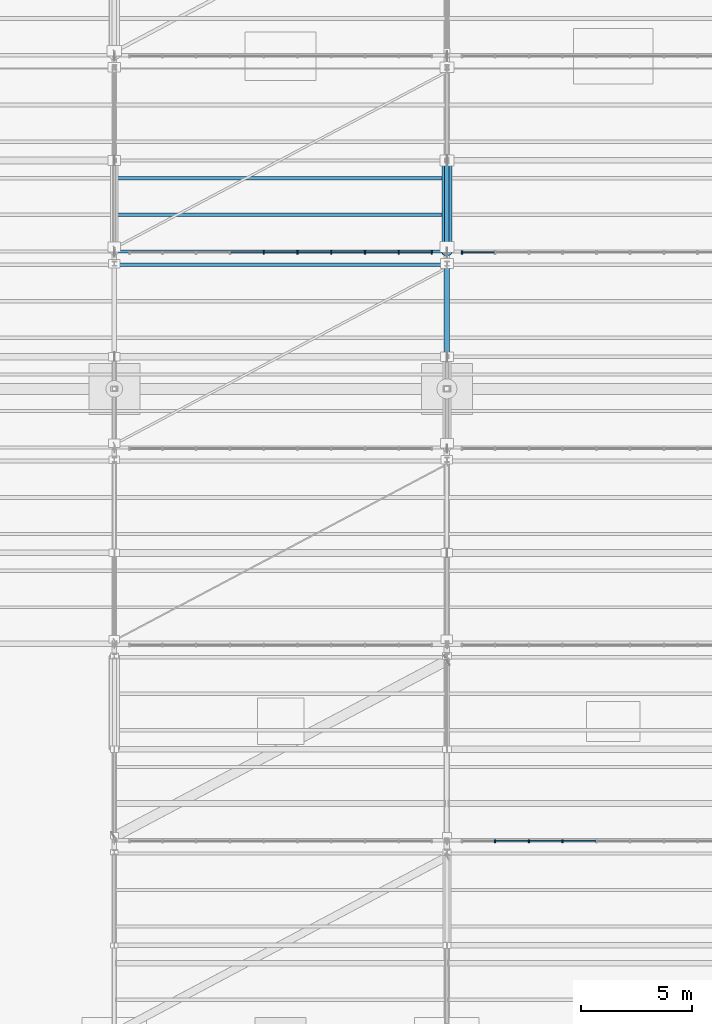
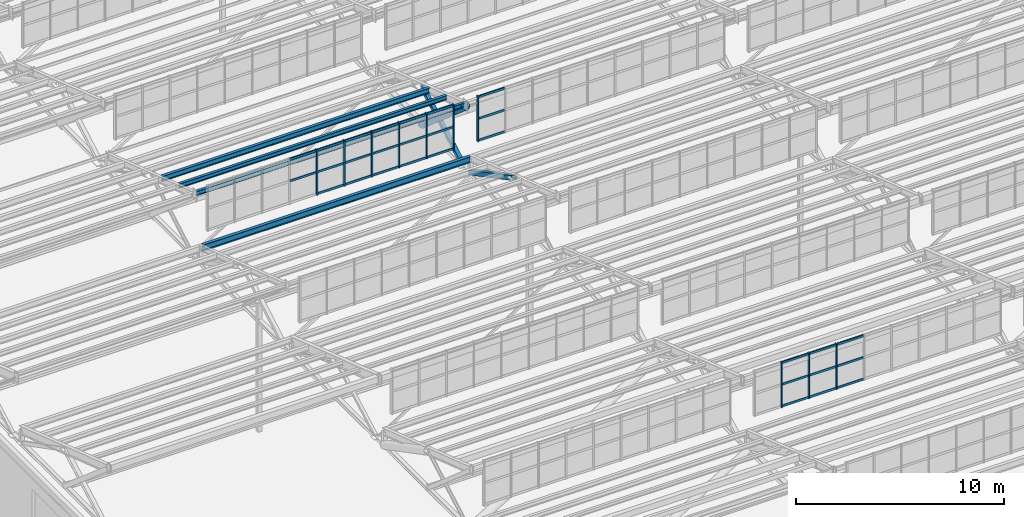
# One storey, part 53 of 285: 42 members, 4 beams, 3 elements without a shape of their own.
"""IFC4 building model written with IfcOpenShell, lengths in metres."""

import ifcopenshell
import ifcopenshell.guid

model = None  # the IFC model being written
_history = None  # IfcOwnerHistory: only IFC2X3 demands one
_inside = {}  # id of a spatial element -> (the spatial element, [elements in it])
_under = {}  # id of a project, library or spatial element -> (it, [spatial elements below it])
_declared = {}  # id of a project -> (the project, [libraries it declares])
_typed = {}  # id of a type object -> (the type object, [elements of that type])
_made_of = {}  # id of a material, layer set ... -> (it, [elements and type objects made of it])


def new_model(schema):
    """Start an empty IFC model of exactly this schema.

    Asked for "IFC4X3", IfcOpenShell would pick the latest addendum, in which some entities
    have other attributes; the version numbers below select the first issue.
    IFC2X3 requires an IfcOwnerHistory on every rooted entity: one is made here for all.
    """
    global model, _history
    if schema == "IFC4X3":
        model = ifcopenshell.file(schema_version=(4, 3, 0, 0))
    else:
        model = ifcopenshell.file(schema=schema)
    _inside.clear()
    _under.clear()
    _declared.clear()
    _typed.clear()
    _made_of.clear()
    _history = None
    if model.schema == "IFC2X3":
        org = make("IfcOrganization", Name="unknown")
        user = make(
            "IfcPersonAndOrganization",
            ThePerson=make("IfcPerson", FamilyName="unknown"),
            TheOrganization=org,
        )
        app = make(
            "IfcApplication",
            ApplicationDeveloper=org,
            Version="unknown",
            ApplicationFullName="unknown",
            ApplicationIdentifier="unknown",
        )
        _history = make(
            "IfcOwnerHistory",
            OwningUser=user,
            OwningApplication=app,
            ChangeAction="ADDED",
            CreationDate=0,
        )
    return model


def make(cls, **values):
    """One entity of the class cls with the attributes given. An attribute that is None is left unset."""
    return model.create_entity(
        cls, **{name: value for name, value in values.items() if value is not None}
    )


def rooted(cls, **values):
    """An entity with a GlobalId (a new one), such as an element, a storey or a relation."""
    return make(cls, GlobalId=ifcopenshell.guid.new(), OwnerHistory=_history, **values)


def si_unit(unit_type, name, prefix=None):
    """IfcSIUnit, for example si_unit("LENGTHUNIT", "METRE", prefix="MILLI")."""
    return make("IfcSIUnit", UnitType=unit_type, Prefix=prefix, Name=name)


def assignment(units):
    """IfcUnitAssignment: the units of a project."""
    return None if units is None else make("IfcUnitAssignment", Units=units)


def point(xyz):
    """IfcCartesianPoint."""
    return None if xyz is None else make("IfcCartesianPoint", Coordinates=xyz)


def direction(xyz):
    """IfcDirection."""
    return None if xyz is None else make("IfcDirection", DirectionRatios=xyz)


def frame(location, z_axis=None, x_axis=None):
    """IfcAxis2Placement3D, a coordinate frame: its origin and axes. An axis left out is left unset."""
    return make(
        "IfcAxis2Placement3D",
        Location=point(location),
        Axis=direction(z_axis),
        RefDirection=direction(x_axis),
    )


def frame_2d(location, x_axis=None):
    """IfcAxis2Placement2D, a coordinate frame in the plane: its origin and x axis."""
    return make(
        "IfcAxis2Placement2D", Location=point(location), RefDirection=direction(x_axis)
    )


def origin():
    """The frame at (0, 0, 0) with its axes left unset."""
    return frame((0.0, 0.0, 0.0))


def origin_2d():
    """The frame at (0, 0) in the plane with its x axis left unset."""
    return frame_2d((0.0, 0.0))


def place(relative_to, where):
    """IfcLocalPlacement: puts the frame where relative to a parent placement (None: the world)."""
    return make(
        "IfcLocalPlacement", PlacementRelTo=relative_to, RelativePlacement=where
    )


def context(
    kind, dimensions, precision=None, world=None, true_north=None, identifier=None
):
    """IfcGeometricRepresentationContext, for example the 3D "Model" context."""
    return make(
        "IfcGeometricRepresentationContext",
        ContextIdentifier=identifier,
        ContextType=kind,
        CoordinateSpaceDimension=dimensions,
        Precision=precision,
        WorldCoordinateSystem=world,
        TrueNorth=true_north,
    )


def subcontext(parent, identifier, kind, view, scale=None):
    """IfcGeometricRepresentationSubContext, for example "Body" below "Model"."""
    return make(
        "IfcGeometricRepresentationSubContext",
        ContextIdentifier=identifier,
        ContextType=kind,
        ParentContext=parent,
        TargetScale=scale,
        TargetView=view,
    )


def project(units=None, contexts=None):
    """IfcProject with its units and contexts."""
    return rooted(
        "IfcProject",
        Name="project",
        RepresentationContexts=contexts,
        UnitsInContext=assignment(units),
    )


def spatial(cls, under=None, at=None, **own):
    """A site, building, storey or space (cls), placed at a placement, below another one or the project."""
    s = rooted(cls, ObjectPlacement=at, **own)
    if under is not None:
        _under.setdefault(under.id(), (under, []))[1].append(s)
    return s


def profile(cls, at=None, kind="AREA", **sizes):
    """A parametric profile (cls). Its sizes go by their IFC names, for example OverallWidth=200.0."""
    return make(cls, ProfileType=kind, Position=at, **sizes)


def rectangle(**sizes):
    """IfcRectangleProfileDef."""
    return profile("IfcRectangleProfileDef", **sizes)


def hollow_rectangle(**sizes):
    """IfcRectangleHollowProfileDef."""
    return profile("IfcRectangleHollowProfileDef", **sizes)


def hollow_circle(**sizes):
    """IfcCircleHollowProfileDef."""
    return profile("IfcCircleHollowProfileDef", **sizes)


def i_section(**sizes):
    """IfcIShapeProfileDef."""
    return profile("IfcIShapeProfileDef", **sizes)


def extrude(swept, where, along, depth):
    """IfcExtrudedAreaSolid: the profile swept, set in the frame where, extruded along a direction by depth."""
    return make(
        "IfcExtrudedAreaSolid",
        SweptArea=swept,
        Position=where,
        ExtrudedDirection=direction(along),
        Depth=depth,
    )


def shape(context_of_items, identifier, shape_type, items):
    """IfcShapeRepresentation: the items that make up one representation, for example the "Body"."""
    return make(
        "IfcShapeRepresentation",
        ContextOfItems=context_of_items,
        RepresentationIdentifier=identifier,
        RepresentationType=shape_type,
        Items=items,
    )


def material(Name=None, Category=None):
    """IfcMaterial."""
    return make("IfcMaterial", Name=Name, Category=Category)


def material_profile(
    of_material, cross_section, Name=None, Category=None, Priority=None
):
    """IfcMaterialProfile: a cross section and its material."""
    return make(
        "IfcMaterialProfile",
        Name=Name,
        Material=of_material,
        Profile=cross_section,
        Priority=Priority,
        Category=Category,
    )


def profile_set(profiles, Name=None, composite=None):
    """IfcMaterialProfileSet."""
    return make(
        "IfcMaterialProfileSet",
        Name=Name,
        MaterialProfiles=profiles,
        CompositeProfile=composite,
    )


def made_of(thing, what):
    """Note that an element or type object is made of a material, layer set ...; save() writes the relation."""
    if what is not None:
        _made_of.setdefault(what.id(), (what, []))[1].append(thing)
    return thing


def type_object(cls, material=None, **own):
    """A type object (cls), such as IfcWallType, which elements share."""
    return made_of(rooted(cls, **own), material)


def element(
    cls,
    number,
    at=None,
    inside=None,
    cuts=None,
    type_object=None,
    material=None,
    context=None,
    identifier="Body",
    shape_type=None,
    held_by="IfcProductDefinitionShape",
    body=None,
    shapes=None,
    **own,
):
    """One element of the class cls, such as IfcWall. Its Tag is "e" and its number.

    at: its placement. inside: the storey or other place that contains it. cuts: it is an
    opening in that element (IfcRelVoidsElement). A single representation is given by context,
    identifier, shape_type and body (its items); several are given by shapes. held_by: the class
    of the entity that holds the representations. save() writes the other relations.
    """
    e = rooted(cls, Tag="e%d" % number, ObjectPlacement=at, **own)
    if body is not None:
        shapes = [shape(context, identifier, shape_type, body)]
    if shapes is not None:
        e.Representation = make(held_by, Representations=shapes)
    if inside is not None:
        _inside.setdefault(inside.id(), (inside, []))[1].append(e)
    if cuts is not None:
        rooted(
            "IfcRelVoidsElement", RelatingBuildingElement=cuts, RelatedOpeningElement=e
        )
    if type_object is not None:
        _typed.setdefault(type_object.id(), (type_object, []))[1].append(e)
    return made_of(e, material)


def aggregate(whole, parts):
    """IfcRelAggregates: a whole, such as a stair, and the parts it consists of."""
    return rooted("IfcRelAggregates", RelatingObject=whole, RelatedObjects=parts)


def save(model, path):
    """Write the relations noted so far, then the file.

    IfcRelAggregates (storeys below a building ...), IfcRelContainedInSpatialStructure (elements
    in a storey), IfcRelDefinesByType, IfcRelAssociatesMaterial and IfcRelDeclares: one each for
    every whole, place, type object, material and project.
    """
    for whole, parts in _under.values():
        aggregate(whole, parts)
    for where, things in _inside.values():
        rooted(
            "IfcRelContainedInSpatialStructure",
            RelatedElements=things,
            RelatingStructure=where,
        )
    for kind, things in _typed.values():
        rooted("IfcRelDefinesByType", RelatedObjects=things, RelatingType=kind)
    for what, things in _made_of.values():
        rooted("IfcRelAssociatesMaterial", RelatedObjects=things, RelatingMaterial=what)
    for by, libraries in _declared.values():
        rooted("IfcRelDeclares", RelatingContext=by, RelatedDefinitions=libraries)
    model.write(path)


model = new_model("IFC4")

# Units and contexts
model_context = context("Model", 3, precision=1e-05, world=origin(), true_north=direction((0.0, 1.0)))
body_context = subcontext(model_context, "Body", "Model", "MODEL_VIEW")
ifc_project = project(units=[si_unit("LENGTHUNIT", "METRE"), si_unit("AREAUNIT", "SQUARE_METRE"), si_unit("VOLUMEUNIT", "CUBIC_METRE"), si_unit("PLANEANGLEUNIT", "RADIAN"), si_unit("MASSUNIT", "GRAM", prefix="KILO")], contexts=[model_context])

# Site, building, storey
site_placement = place(None, origin())
site = spatial("IfcSite", under=ifc_project, at=site_placement, CompositionType="ELEMENT")
building_placement = place(site_placement, origin())
building = spatial("IfcBuilding", under=site, at=building_placement, Name="Solanera Park Tramway Depot", CompositionType="ELEMENT")
storey_placement = place(building_placement, origin())
storey = spatial("IfcBuildingStorey", under=building, at=storey_placement, Name="L00", CompositionType="ELEMENT", Elevation=0.0)

# Curtain wall, members
ifc_material_1 = material(Name="Bronze-anodised thermally broken aluminium curtain wall", Category="aluminium")
curtain_wall_type = type_object("IfcCurtainWallType", Name="Sawtooth Clerestory Monitor Curtain Wall", PredefinedType="NOTDEFINED", material=ifc_material_1)
curtain_wall_1_placement = place(storey_placement, origin())
curtain_wall_1 = element("IfcCurtainWall", 1, at=curtain_wall_1_placement, inside=storey, type_object=curtain_wall_type, Name="L00 Sawtooth Clerestory Monitor Curtain Wall #005", PredefinedType="NOTDEFINED")
ifc_material_2 = material(Name="Bronze-anodised structural aluminium 6063-T6", Category="aluminium")
ifc_material_profile_1 = material_profile(ifc_material_2, rectangle(XDim=0.06494140625, YDim=0.14990234375, at=origin_2d()), Name="Curtain Wall Mullion 65x150")
ifc_profile_set_1 = profile_set([ifc_material_profile_1], Name="Bronze-anodised structural aluminium 6063-T6")
member_type_1 = type_object("IfcMemberType", Name="Curtain Wall Mullion 65x150", PredefinedType="MULLION", material=ifc_profile_set_1)
member_1_placement = place(storey_placement, frame((32.172119140625, 64.60009765625, 7.75), z_axis=(0.0, 0.0, 1.0), x_axis=(1.0, 0.0, 0.0)))
member_1 = element("IfcMember", 2, at=member_1_placement, type_object=member_type_1, Name="CW-L00-005 Mullion 2", PredefinedType="MULLION", context=body_context, shape_type="SweptSolid", body=[
    extrude(rectangle(XDim=0.06494140625, YDim=0.14990234375, at=origin_2d()), origin(), (0.0, 0.0, 1.0), 2.6611328125),
])
member_2_placement = place(storey_placement, frame((33.6943359375, 64.60009765625, 7.75), z_axis=(0.0, 0.0, 1.0), x_axis=(1.0, 0.0, 0.0)))
member_2 = element("IfcMember", 3, at=member_2_placement, type_object=member_type_1, Name="CW-L00-005 Mullion 3", PredefinedType="MULLION", context=body_context, shape_type="SweptSolid", body=[
    extrude(rectangle(XDim=0.06494140625, YDim=0.14990234375, at=origin_2d()), origin(), (0.0, 0.0, 1.0), 2.6611328125),
])
member_3_placement = place(storey_placement, frame((35.216796875, 64.60009765625, 7.75), z_axis=(0.0, 0.0, 1.0), x_axis=(1.0, 0.0, 0.0)))
member_3 = element("IfcMember", 4, at=member_3_placement, type_object=member_type_1, Name="CW-L00-005 Mullion 4", PredefinedType="MULLION", context=body_context, shape_type="SweptSolid", body=[
    extrude(rectangle(XDim=0.06494140625, YDim=0.14990234375, at=origin_2d()), origin(), (0.0, 0.0, 1.0), 2.6611328125),
])

curtain_wall_2_placement = place(storey_placement, origin())
curtain_wall_2 = element("IfcCurtainWall", 5, at=curtain_wall_2_placement, inside=storey, type_object=curtain_wall_type, Name="L00 Sawtooth Clerestory Monitor Curtain Wall #028", PredefinedType="NOTDEFINED")
member_4_placement = place(storey_placement, frame((21.739013671875, 91.14990234375, 7.75), z_axis=(0.0, 0.0, 1.0), x_axis=(1.0, 0.0, 0.0)))
member_4 = element("IfcMember", 6, at=member_4_placement, type_object=member_type_1, Name="CW-L00-028 Mullion 5", PredefinedType="MULLION", context=body_context, shape_type="SweptSolid", body=[
    extrude(rectangle(XDim=0.06494140625, YDim=0.14990234375, at=origin_2d()), origin(), (0.0, 0.0, 1.0), 2.6611328125),
])
member_5_placement = place(storey_placement, frame((23.260986328125, 91.14990234375, 7.75), z_axis=(0.0, 0.0, 1.0), x_axis=(1.0, 0.0, 0.0)))
member_5 = element("IfcMember", 7, at=member_5_placement, type_object=member_type_1, Name="CW-L00-028 Mullion 6", PredefinedType="MULLION", context=body_context, shape_type="SweptSolid", body=[
    extrude(rectangle(XDim=0.06494140625, YDim=0.14990234375, at=origin_2d()), origin(), (0.0, 0.0, 1.0), 2.6611328125),
])
member_6_placement = place(storey_placement, frame((24.783203125, 91.14990234375, 7.75), z_axis=(0.0, 0.0, 1.0), x_axis=(1.0, 0.0, 0.0)))
member_6 = element("IfcMember", 8, at=member_6_placement, type_object=member_type_1, Name="CW-L00-028 Mullion 7", PredefinedType="MULLION", context=body_context, shape_type="SweptSolid", body=[
    extrude(rectangle(XDim=0.06494140625, YDim=0.14990234375, at=origin_2d()), origin(), (0.0, 0.0, 1.0), 2.6611328125),
])
member_7_placement = place(storey_placement, frame((26.3056640625, 91.14990234375, 7.75), z_axis=(0.0, 0.0, 1.0), x_axis=(1.0, 0.0, 0.0)))
member_7 = element("IfcMember", 9, at=member_7_placement, type_object=member_type_1, Name="CW-L00-028 Mullion 8", PredefinedType="MULLION", context=body_context, shape_type="SweptSolid", body=[
    extrude(rectangle(XDim=0.06494140625, YDim=0.14990234375, at=origin_2d()), origin(), (0.0, 0.0, 1.0), 2.6611328125),
])
member_8_placement = place(storey_placement, frame((27.827880859375, 91.14990234375, 7.75), z_axis=(0.0, 0.0, 1.0), x_axis=(1.0, 0.0, 0.0)))
member_8 = element("IfcMember", 10, at=member_8_placement, type_object=member_type_1, Name="CW-L00-028 Mullion 9", PredefinedType="MULLION", context=body_context, shape_type="SweptSolid", body=[
    extrude(rectangle(XDim=0.06494140625, YDim=0.14990234375, at=origin_2d()), origin(), (0.0, 0.0, 1.0), 2.6611328125),
])
member_9_placement = place(storey_placement, frame((29.3173828125, 91.14990234375, 7.75), z_axis=(0.0, 0.0, 1.0), x_axis=(1.0, 0.0, 0.0)))
member_9 = element("IfcMember", 11, at=member_9_placement, type_object=member_type_1, Name="CW-L00-028 Mullion 10", PredefinedType="MULLION", context=body_context, shape_type="SweptSolid", body=[
    extrude(rectangle(XDim=0.06494140625, YDim=0.14990234375, at=origin_2d()), origin(), (0.0, 0.0, 1.0), 2.6611328125),
])

# Curtain wall, member
curtain_wall_3_placement = place(storey_placement, origin())
curtain_wall_3 = element("IfcCurtainWall", 12, at=curtain_wall_3_placement, inside=storey, type_object=curtain_wall_type, Name="L00 Sawtooth Clerestory Monitor Curtain Wall #029", PredefinedType="NOTDEFINED")
member_10_placement = place(storey_placement, frame((30.6826171875, 91.14990234375, 7.75), z_axis=(0.0, 0.0, 1.0), x_axis=(1.0, 0.0, 0.0)))
member_10 = element("IfcMember", 13, at=member_10_placement, type_object=member_type_1, Name="CW-L00-029 Mullion 1", PredefinedType="MULLION", context=body_context, shape_type="SweptSolid", body=[
    extrude(rectangle(XDim=0.06494140625, YDim=0.14990234375, at=origin_2d()), origin(), (0.0, 0.0, 1.0), 2.6611328125),
])

# Member
ifc_material_3 = material(Name="Bronze-anodised structural aluminium 6063-T6", Category="aluminium")
ifc_material_profile_2 = material_profile(ifc_material_3, rectangle(XDim=0.06494140625, YDim=0.1201171875, at=origin_2d()), Name="Curtain Wall Transom 65x120")
ifc_profile_set_2 = profile_set([ifc_material_profile_2], Name="Bronze-anodised structural aluminium 6063-T6")
member_type_2 = type_object("IfcMemberType", Name="Curtain Wall Transom 65x120", PredefinedType="USERDEFINED", material=ifc_profile_set_2)
member_11_placement = place(storey_placement, frame((32.2001953125, 64.60009765625, 7.81005859375), z_axis=(1.0, 0.0, 0.0), x_axis=(0.0, 1.0, 0.0)))
member_11 = element("IfcMember", 14, at=member_11_placement, type_object=member_type_2, Name="CW-L00-005 Transom R1.C2", ObjectType="TRANSOM", PredefinedType="USERDEFINED", context=body_context, shape_type="SweptSolid", body=[
    extrude(rectangle(XDim=0.06494140625, YDim=0.1201171875, at=origin_2d()), origin(), (0.0, 0.0, 1.0), 1.46630859375),
])

member_12_placement = place(storey_placement, frame((33.722412109375, 64.60009765625, 7.81005859375), z_axis=(1.0, 0.0, 0.0), x_axis=(0.0, 1.0, 0.0)))
member_12 = element("IfcMember", 15, at=member_12_placement, type_object=member_type_2, Name="CW-L00-005 Transom R1.C3", ObjectType="TRANSOM", PredefinedType="USERDEFINED", context=body_context, shape_type="SweptSolid", body=[
    extrude(rectangle(XDim=0.06494140625, YDim=0.1201171875, at=origin_2d()), origin(), (0.0, 0.0, 1.0), 1.46630859375),
])

member_13_placement = place(storey_placement, frame((35.24462890625, 64.60009765625, 7.81005859375), z_axis=(1.0, 0.0, 0.0), x_axis=(0.0, 1.0, 0.0)))
member_13 = element("IfcMember", 16, at=member_13_placement, type_object=member_type_2, Name="CW-L00-005 Transom R1.C4", ObjectType="TRANSOM", PredefinedType="USERDEFINED", context=body_context, shape_type="SweptSolid", body=[
    extrude(rectangle(XDim=0.06494140625, YDim=0.1201171875, at=origin_2d()), origin(), (0.0, 0.0, 1.0), 1.46630859375),
])

member_14_placement = place(storey_placement, frame((32.2001953125, 64.60009765625, 9.08056640625), z_axis=(1.0, 0.0, 0.0), x_axis=(0.0, 1.0, 0.0)))
member_14 = element("IfcMember", 17, at=member_14_placement, type_object=member_type_2, Name="CW-L00-005 Transom R2.C2", ObjectType="TRANSOM", PredefinedType="USERDEFINED", context=body_context, shape_type="SweptSolid", body=[
    extrude(rectangle(XDim=0.06494140625, YDim=0.1201171875, at=origin_2d()), origin(), (0.0, 0.0, 1.0), 1.46630859375),
])

member_15_placement = place(storey_placement, frame((33.722412109375, 64.60009765625, 9.08056640625), z_axis=(1.0, 0.0, 0.0), x_axis=(0.0, 1.0, 0.0)))
member_15 = element("IfcMember", 18, at=member_15_placement, type_object=member_type_2, Name="CW-L00-005 Transom R2.C3", ObjectType="TRANSOM", PredefinedType="USERDEFINED", context=body_context, shape_type="SweptSolid", body=[
    extrude(rectangle(XDim=0.06494140625, YDim=0.1201171875, at=origin_2d()), origin(), (0.0, 0.0, 1.0), 1.46630859375),
])

member_16_placement = place(storey_placement, frame((35.24462890625, 64.60009765625, 9.08056640625), z_axis=(1.0, 0.0, 0.0), x_axis=(0.0, 1.0, 0.0)))
member_16 = element("IfcMember", 19, at=member_16_placement, type_object=member_type_2, Name="CW-L00-005 Transom R2.C4", ObjectType="TRANSOM", PredefinedType="USERDEFINED", context=body_context, shape_type="SweptSolid", body=[
    extrude(rectangle(XDim=0.06494140625, YDim=0.1201171875, at=origin_2d()), origin(), (0.0, 0.0, 1.0), 1.46630859375),
])

member_17_placement = place(storey_placement, frame((32.2001953125, 64.60009765625, 10.351318359375), z_axis=(1.0, 0.0, 0.0), x_axis=(0.0, 1.0, 0.0)))
member_17 = element("IfcMember", 20, at=member_17_placement, type_object=member_type_2, Name="CW-L00-005 Transom R3.C2", ObjectType="TRANSOM", PredefinedType="USERDEFINED", context=body_context, shape_type="SweptSolid", body=[
    extrude(rectangle(XDim=0.06494140625, YDim=0.1201171875, at=origin_2d()), origin(), (0.0, 0.0, 1.0), 1.46630859375),
])

member_18_placement = place(storey_placement, frame((33.722412109375, 64.60009765625, 10.351318359375), z_axis=(1.0, 0.0, 0.0), x_axis=(0.0, 1.0, 0.0)))
member_18 = element("IfcMember", 21, at=member_18_placement, type_object=member_type_2, Name="CW-L00-005 Transom R3.C3", ObjectType="TRANSOM", PredefinedType="USERDEFINED", context=body_context, shape_type="SweptSolid", body=[
    extrude(rectangle(XDim=0.06494140625, YDim=0.1201171875, at=origin_2d()), origin(), (0.0, 0.0, 1.0), 1.46630859375),
])

member_19_placement = place(storey_placement, frame((35.24462890625, 64.60009765625, 10.351318359375), z_axis=(1.0, 0.0, 0.0), x_axis=(0.0, 1.0, 0.0)))
member_19 = element("IfcMember", 22, at=member_19_placement, type_object=member_type_2, Name="CW-L00-005 Transom R3.C4", ObjectType="TRANSOM", PredefinedType="USERDEFINED", context=body_context, shape_type="SweptSolid", body=[
    extrude(rectangle(XDim=0.06494140625, YDim=0.1201171875, at=origin_2d()), origin(), (0.0, 0.0, 1.0), 1.46630859375),
])

aggregate(curtain_wall_1, [member_1, member_2, member_3, member_11, member_12, member_13, member_14, member_15, member_16, member_17, member_18, member_19])

member_20_placement = place(storey_placement, frame((21.766845703125, 91.14990234375, 7.81005859375), z_axis=(1.0, 0.0, 0.0), x_axis=(0.0, 1.0, 0.0)))
member_20 = element("IfcMember", 23, at=member_20_placement, type_object=member_type_2, Name="CW-L00-028 Transom R1.C5", ObjectType="TRANSOM", PredefinedType="USERDEFINED", context=body_context, shape_type="SweptSolid", body=[
    extrude(rectangle(XDim=0.06494140625, YDim=0.1201171875, at=origin_2d()), origin(), (0.0, 0.0, 1.0), 1.46630859375),
])

member_21_placement = place(storey_placement, frame((23.2890625, 91.14990234375, 7.81005859375), z_axis=(1.0, 0.0, 0.0), x_axis=(0.0, 1.0, 0.0)))
member_21 = element("IfcMember", 24, at=member_21_placement, type_object=member_type_2, Name="CW-L00-028 Transom R1.C6", ObjectType="TRANSOM", PredefinedType="USERDEFINED", context=body_context, shape_type="SweptSolid", body=[
    extrude(rectangle(XDim=0.06494140625, YDim=0.1201171875, at=origin_2d()), origin(), (0.0, 0.0, 1.0), 1.46630859375),
])

member_22_placement = place(storey_placement, frame((24.811279296875, 91.14990234375, 7.81005859375), z_axis=(1.0, 0.0, 0.0), x_axis=(0.0, 1.0, 0.0)))
member_22 = element("IfcMember", 25, at=member_22_placement, type_object=member_type_2, Name="CW-L00-028 Transom R1.C7", ObjectType="TRANSOM", PredefinedType="USERDEFINED", context=body_context, shape_type="SweptSolid", body=[
    extrude(rectangle(XDim=0.06494140625, YDim=0.1201171875, at=origin_2d()), origin(), (0.0, 0.0, 1.0), 1.46630859375),
])

member_23_placement = place(storey_placement, frame((26.33349609375, 91.14990234375, 7.81005859375), z_axis=(1.0, 0.0, 0.0), x_axis=(0.0, 1.0, 0.0)))
member_23 = element("IfcMember", 26, at=member_23_placement, type_object=member_type_2, Name="CW-L00-028 Transom R1.C8", ObjectType="TRANSOM", PredefinedType="USERDEFINED", context=body_context, shape_type="SweptSolid", body=[
    extrude(rectangle(XDim=0.06494140625, YDim=0.1201171875, at=origin_2d()), origin(), (0.0, 0.0, 1.0), 1.46630859375),
])

member_24_placement = place(storey_placement, frame((27.855712890625, 91.14990234375, 7.81005859375), z_axis=(1.0, 0.0, 0.0), x_axis=(0.0, 1.0, 0.0)))
member_24 = element("IfcMember", 27, at=member_24_placement, type_object=member_type_2, Name="CW-L00-028 Transom R1.C9", ObjectType="TRANSOM", PredefinedType="USERDEFINED", context=body_context, shape_type="SweptSolid", body=[
    extrude(rectangle(XDim=0.06494140625, YDim=0.1201171875, at=origin_2d()), origin(), (0.0, 0.0, 1.0), 1.433837890625),
])

member_25_placement = place(storey_placement, frame((20.24462890625, 91.14990234375, 9.08056640625), z_axis=(1.0, 0.0, 0.0), x_axis=(0.0, 1.0, 0.0)))
member_25 = element("IfcMember", 28, at=member_25_placement, type_object=member_type_2, Name="CW-L00-028 Transom R2.C4", ObjectType="TRANSOM", PredefinedType="USERDEFINED", context=body_context, shape_type="SweptSolid", body=[
    extrude(rectangle(XDim=0.06494140625, YDim=0.1201171875, at=origin_2d()), origin(), (0.0, 0.0, 1.0), 1.46630859375),
])

member_26_placement = place(storey_placement, frame((21.766845703125, 91.14990234375, 9.08056640625), z_axis=(1.0, 0.0, 0.0), x_axis=(0.0, 1.0, 0.0)))
member_26 = element("IfcMember", 29, at=member_26_placement, type_object=member_type_2, Name="CW-L00-028 Transom R2.C5", ObjectType="TRANSOM", PredefinedType="USERDEFINED", context=body_context, shape_type="SweptSolid", body=[
    extrude(rectangle(XDim=0.06494140625, YDim=0.1201171875, at=origin_2d()), origin(), (0.0, 0.0, 1.0), 1.46630859375),
])

member_27_placement = place(storey_placement, frame((23.2890625, 91.14990234375, 9.08056640625), z_axis=(1.0, 0.0, 0.0), x_axis=(0.0, 1.0, 0.0)))
member_27 = element("IfcMember", 30, at=member_27_placement, type_object=member_type_2, Name="CW-L00-028 Transom R2.C6", ObjectType="TRANSOM", PredefinedType="USERDEFINED", context=body_context, shape_type="SweptSolid", body=[
    extrude(rectangle(XDim=0.06494140625, YDim=0.1201171875, at=origin_2d()), origin(), (0.0, 0.0, 1.0), 1.46630859375),
])

member_28_placement = place(storey_placement, frame((24.811279296875, 91.14990234375, 9.08056640625), z_axis=(1.0, 0.0, 0.0), x_axis=(0.0, 1.0, 0.0)))
member_28 = element("IfcMember", 31, at=member_28_placement, type_object=member_type_2, Name="CW-L00-028 Transom R2.C7", ObjectType="TRANSOM", PredefinedType="USERDEFINED", context=body_context, shape_type="SweptSolid", body=[
    extrude(rectangle(XDim=0.06494140625, YDim=0.1201171875, at=origin_2d()), origin(), (0.0, 0.0, 1.0), 1.46630859375),
])

member_29_placement = place(storey_placement, frame((26.33349609375, 91.14990234375, 9.08056640625), z_axis=(1.0, 0.0, 0.0), x_axis=(0.0, 1.0, 0.0)))
member_29 = element("IfcMember", 32, at=member_29_placement, type_object=member_type_2, Name="CW-L00-028 Transom R2.C8", ObjectType="TRANSOM", PredefinedType="USERDEFINED", context=body_context, shape_type="SweptSolid", body=[
    extrude(rectangle(XDim=0.06494140625, YDim=0.1201171875, at=origin_2d()), origin(), (0.0, 0.0, 1.0), 1.46630859375),
])

member_30_placement = place(storey_placement, frame((27.855712890625, 91.14990234375, 9.08056640625), z_axis=(1.0, 0.0, 0.0), x_axis=(0.0, 1.0, 0.0)))
member_30 = element("IfcMember", 33, at=member_30_placement, type_object=member_type_2, Name="CW-L00-028 Transom R2.C9", ObjectType="TRANSOM", PredefinedType="USERDEFINED", context=body_context, shape_type="SweptSolid", body=[
    extrude(rectangle(XDim=0.06494140625, YDim=0.1201171875, at=origin_2d()), origin(), (0.0, 0.0, 1.0), 1.433837890625),
])

member_31_placement = place(storey_placement, frame((20.24462890625, 91.14990234375, 10.351318359375), z_axis=(1.0, 0.0, 0.0), x_axis=(0.0, 1.0, 0.0)))
member_31 = element("IfcMember", 34, at=member_31_placement, type_object=member_type_2, Name="CW-L00-028 Transom R3.C4", ObjectType="TRANSOM", PredefinedType="USERDEFINED", context=body_context, shape_type="SweptSolid", body=[
    extrude(rectangle(XDim=0.06494140625, YDim=0.1201171875, at=origin_2d()), origin(), (0.0, 0.0, 1.0), 1.46630859375),
])

member_32_placement = place(storey_placement, frame((21.766845703125, 91.14990234375, 10.351318359375), z_axis=(1.0, 0.0, 0.0), x_axis=(0.0, 1.0, 0.0)))
member_32 = element("IfcMember", 35, at=member_32_placement, type_object=member_type_2, Name="CW-L00-028 Transom R3.C5", ObjectType="TRANSOM", PredefinedType="USERDEFINED", context=body_context, shape_type="SweptSolid", body=[
    extrude(rectangle(XDim=0.06494140625, YDim=0.1201171875, at=origin_2d()), origin(), (0.0, 0.0, 1.0), 1.46630859375),
])

member_33_placement = place(storey_placement, frame((23.2890625, 91.14990234375, 10.351318359375), z_axis=(1.0, 0.0, 0.0), x_axis=(0.0, 1.0, 0.0)))
member_33 = element("IfcMember", 36, at=member_33_placement, type_object=member_type_2, Name="CW-L00-028 Transom R3.C6", ObjectType="TRANSOM", PredefinedType="USERDEFINED", context=body_context, shape_type="SweptSolid", body=[
    extrude(rectangle(XDim=0.06494140625, YDim=0.1201171875, at=origin_2d()), origin(), (0.0, 0.0, 1.0), 1.46630859375),
])

member_34_placement = place(storey_placement, frame((24.811279296875, 91.14990234375, 10.351318359375), z_axis=(1.0, 0.0, 0.0), x_axis=(0.0, 1.0, 0.0)))
member_34 = element("IfcMember", 37, at=member_34_placement, type_object=member_type_2, Name="CW-L00-028 Transom R3.C7", ObjectType="TRANSOM", PredefinedType="USERDEFINED", context=body_context, shape_type="SweptSolid", body=[
    extrude(rectangle(XDim=0.06494140625, YDim=0.1201171875, at=origin_2d()), origin(), (0.0, 0.0, 1.0), 1.46630859375),
])

member_35_placement = place(storey_placement, frame((26.33349609375, 91.14990234375, 10.351318359375), z_axis=(1.0, 0.0, 0.0), x_axis=(0.0, 1.0, 0.0)))
member_35 = element("IfcMember", 38, at=member_35_placement, type_object=member_type_2, Name="CW-L00-028 Transom R3.C8", ObjectType="TRANSOM", PredefinedType="USERDEFINED", context=body_context, shape_type="SweptSolid", body=[
    extrude(rectangle(XDim=0.06494140625, YDim=0.1201171875, at=origin_2d()), origin(), (0.0, 0.0, 1.0), 1.46630859375),
])

member_36_placement = place(storey_placement, frame((27.855712890625, 91.14990234375, 10.351318359375), z_axis=(1.0, 0.0, 0.0), x_axis=(0.0, 1.0, 0.0)))
member_36 = element("IfcMember", 39, at=member_36_placement, type_object=member_type_2, Name="CW-L00-028 Transom R3.C9", ObjectType="TRANSOM", PredefinedType="USERDEFINED", context=body_context, shape_type="SweptSolid", body=[
    extrude(rectangle(XDim=0.06494140625, YDim=0.1201171875, at=origin_2d()), origin(), (0.0, 0.0, 1.0), 1.433837890625),
])

aggregate(curtain_wall_2, [member_4, member_5, member_6, member_7, member_8, member_9, member_20, member_21, member_22, member_23, member_24, member_25, member_26, member_27, member_28, member_29, member_30, member_31, member_32, member_33, member_34, member_35, member_36])

member_37_placement = place(storey_placement, frame((30.71044921875, 91.14990234375, 7.81005859375), z_axis=(1.0, 0.0, 0.0), x_axis=(0.0, 1.0, 0.0)))
member_37 = element("IfcMember", 40, at=member_37_placement, type_object=member_type_2, Name="CW-L00-029 Transom R1.C1", ObjectType="TRANSOM", PredefinedType="USERDEFINED", context=body_context, shape_type="SweptSolid", body=[
    extrude(rectangle(XDim=0.06494140625, YDim=0.1201171875, at=origin_2d()), origin(), (0.0, 0.0, 1.0), 1.433837890625),
])

member_38_placement = place(storey_placement, frame((30.71044921875, 91.14990234375, 9.08056640625), z_axis=(1.0, 0.0, 0.0), x_axis=(0.0, 1.0, 0.0)))
member_38 = element("IfcMember", 41, at=member_38_placement, type_object=member_type_2, Name="CW-L00-029 Transom R2.C1", ObjectType="TRANSOM", PredefinedType="USERDEFINED", context=body_context, shape_type="SweptSolid", body=[
    extrude(rectangle(XDim=0.06494140625, YDim=0.1201171875, at=origin_2d()), origin(), (0.0, 0.0, 1.0), 1.433837890625),
])

member_39_placement = place(storey_placement, frame((30.71044921875, 91.14990234375, 10.351318359375), z_axis=(1.0, 0.0, 0.0), x_axis=(0.0, 1.0, 0.0)))
member_39 = element("IfcMember", 42, at=member_39_placement, type_object=member_type_2, Name="CW-L00-029 Transom R3.C1", ObjectType="TRANSOM", PredefinedType="USERDEFINED", context=body_context, shape_type="SweptSolid", body=[
    extrude(rectangle(XDim=0.06494140625, YDim=0.1201171875, at=origin_2d()), origin(), (0.0, 0.0, 1.0), 1.433837890625),
])

aggregate(curtain_wall_3, [member_10, member_37, member_38, member_39])

ifc_material_4 = material(Name="Steel AS/NZS 3679.1 Grade 350", Category="steel")
ifc_material_profile_3 = material_profile(ifc_material_4, i_section(OverallWidth=0.205078125, OverallDepth=0.209716796875, WebThickness=0.00927734375, FlangeThickness=0.01416015625, at=origin_2d()), Name="200UC59.5")
ifc_profile_set_3 = profile_set([ifc_material_profile_3], Name="Steel AS/NZS 3679.1 Grade 350")
member_type_3 = type_object("IfcMemberType", Name="Roof Gantry Compression Strut 200UC59.5", PredefinedType="STRUT", material=ifc_profile_set_3)
member_40_placement = place(storey_placement, frame((30.0, 91.39990234375, 6.5), z_axis=(0.0, 0.871644015716, 0.490139480011), x_axis=(-1.0, 0.0, 0.0)))
element("IfcMember", 43, at=member_40_placement, inside=storey, type_object=member_type_3, Name="Sawtooth ROOF TRUSS Strut 200UC59.5 #0187", PredefinedType="STRUT", context=body_context, shape_type="SweptSolid", body=[
    extrude(i_section(OverallWidth=0.205078125, OverallDepth=0.209716796875, WebThickness=0.00927734375, FlangeThickness=0.01416015625, at=origin_2d()), origin(), (0.0, 0.0, 1.0), 4.474365234375),
])

# Beams
ifc_material_5 = material(Name="Steel AS/NZS 3679.1 Grade 350", Category="steel")
ifc_material_profile_4 = material_profile(ifc_material_5, i_section(OverallWidth=0.14599609375, OverallDepth=0.251708984375, WebThickness=0.006103515625, FlangeThickness=0.008544921875, at=origin_2d()), Name="250UB31.4")
ifc_profile_set_4 = profile_set([ifc_material_profile_4], Name="Steel AS/NZS 3679.1 Grade 350")
beam_type_1 = type_object("IfcBeamType", Name="Steel Joist Purlin 250UB31.4", PredefinedType="JOIST", material=ifc_profile_set_4)
beam_1_placement = place(storey_placement, frame((15.077880859375, 91.199951171875, 10.139892578125), z_axis=(1.0, 0.0, 0.0), x_axis=(0.0, 1.0, 0.0)))
element("IfcBeam", 44, at=beam_1_placement, inside=storey, type_object=beam_type_1, Name="Sawtooth Roof Purlin 250UB31.4 B05.1", PredefinedType="JOIST", context=body_context, shape_type="SweptSolid", body=[
    extrude(i_section(OverallWidth=0.14599609375, OverallDepth=0.251708984375, WebThickness=0.006103515625, FlangeThickness=0.008544921875, at=origin_2d()), origin(), (0.0, 0.0, 1.0), 14.84130859375),
])
ifc_material_6 = material(Name="Steel AS/NZS 3679.1 Grade 350", Category="steel")
ifc_material_profile_5 = material_profile(ifc_material_6, i_section(OverallWidth=0.146484375, OverallDepth=0.256103515625, WebThickness=0.00634765625, FlangeThickness=0.010986328125, at=origin_2d()), Name="250UB37.3")
ifc_profile_set_5 = profile_set([ifc_material_profile_5], Name="Steel AS/NZS 3679.1 Grade 350")
beam_type_2 = type_object("IfcBeamType", Name="Steel Joist Purlin 250UB37.3", PredefinedType="JOIST", material=ifc_profile_set_5)
beam_2_placement = place(storey_placement, frame((15.077880859375, 92.85009765625, 9.58544921875), z_axis=(1.0, 0.0, 0.0), x_axis=(0.0, 1.0, 0.0)))
element("IfcBeam", 45, at=beam_2_placement, inside=storey, type_object=beam_type_2, Name="Sawtooth Roof Purlin 250UB37.3 B05.2", PredefinedType="JOIST", context=body_context, shape_type="SweptSolid", body=[
    extrude(i_section(OverallWidth=0.146484375, OverallDepth=0.256103515625, WebThickness=0.00634765625, FlangeThickness=0.010986328125, at=origin_2d()), origin(), (0.0, 0.0, 1.0), 14.84130859375),
])
ifc_material_7 = material(Name="Steel AS/NZS 3679.1 Grade 350", Category="steel")
ifc_material_profile_6 = material_profile(ifc_material_7, i_section(OverallWidth=0.1650390625, OverallDepth=0.3037109375, WebThickness=0.006103515625, FlangeThickness=0.01025390625, at=origin_2d()), Name="310UB40.4")
ifc_profile_set_6 = profile_set([ifc_material_profile_6], Name="Steel AS/NZS 3679.1 Grade 350")
beam_type_3 = type_object("IfcBeamType", Name="Steel Joist Purlin 310UB40.4", PredefinedType="JOIST", material=ifc_profile_set_6)
beam_3_placement = place(storey_placement, frame((15.077880859375, 94.5, 9.00634765625), z_axis=(1.0, 0.0, 0.0), x_axis=(0.0, 1.0, 0.0)))
element("IfcBeam", 46, at=beam_3_placement, inside=storey, type_object=beam_type_3, Name="Sawtooth Roof Purlin 310UB40.4 B05.3", PredefinedType="JOIST", context=body_context, shape_type="SweptSolid", body=[
    extrude(i_section(OverallWidth=0.1650390625, OverallDepth=0.3037109375, WebThickness=0.006103515625, FlangeThickness=0.01025390625, at=origin_2d()), origin(), (0.0, 0.0, 1.0), 14.84130859375),
])
ifc_material_8 = material(Name="Steel AS/NZS 3679.1 Grade 350", Category="steel")
ifc_material_profile_7 = material_profile(ifc_material_8, i_section(OverallWidth=0.17138671875, OverallDepth=0.355712890625, WebThickness=0.00732421875, FlangeThickness=0.011474609375, at=origin_2d()), Name="360UB50.7")
ifc_profile_set_7 = profile_set([ifc_material_profile_7], Name="Steel AS/NZS 3679.1 Grade 350")
beam_type_4 = type_object("IfcBeamType", Name="Steel Joist Purlin 360UB50.7", PredefinedType="JOIST", material=ifc_profile_set_7)
beam_4_placement = place(storey_placement, frame((15.074951171875, 90.60009765625, 7.3232421875), z_axis=(1.0, 0.0, 0.0), x_axis=(0.0, 1.0, 0.0)))
element("IfcBeam", 47, at=beam_4_placement, inside=storey, type_object=beam_type_4, Name="Sawtooth Roof Purlin 360UB50.7 B04.6", PredefinedType="JOIST", context=body_context, shape_type="SweptSolid", body=[
    extrude(i_section(OverallWidth=0.17138671875, OverallDepth=0.355712890625, WebThickness=0.00732421875, FlangeThickness=0.011474609375, at=origin_2d()), origin(), (0.0, 0.0, 1.0), 14.84716796875),
])

# Members
ifc_material_9 = material(Name="Steel AS/NZS 1163 Grade C350L0", Category="steel")
ifc_material_profile_8 = material_profile(ifc_material_9, hollow_rectangle(XDim=0.25, YDim=0.25, WallThickness=0.010009765625, at=origin_2d()), Name="250x250x10.0 SHS")
ifc_profile_set_8 = profile_set([ifc_material_profile_8], Name="Steel AS/NZS 1163 Grade C350L0")
member_type_4 = type_object("IfcMemberType", Name="Truss and Frame Brace 250x250x10.0 SHS", PredefinedType="BRACE", material=ifc_profile_set_8)
member_41_placement = place(storey_placement, frame((30.0, 90.64990234375, 6.5), z_axis=(0.0, -0.884222622593, 0.467065684561), x_axis=(1.0, 0.0, 0.0)))
element("IfcMember", 48, at=member_41_placement, inside=storey, type_object=member_type_4, Name="Sawtooth ROOF TRUSS Diagonal 250x250x10.0 SHS #0139", PredefinedType="BRACE", context=body_context, shape_type="SweptSolid", body=[
    extrude(hollow_rectangle(XDim=0.25, YDim=0.25, WallThickness=0.010009765625, at=origin_2d()), origin(), (0.0, 0.0, 1.0), 4.75),
])
ifc_material_10 = material(Name="Steel AS/NZS 1163 Grade C350L0", Category="steel")
ifc_material_profile_9 = material_profile(ifc_material_10, hollow_circle(Radius=0.228515625, WallThickness=0.0126953125, at=origin_2d()), Name="457.0x12.7 CHS")
ifc_profile_set_9 = profile_set([ifc_material_profile_9], Name="Steel AS/NZS 1163 Grade C350L0")
member_type_5 = type_object("IfcMemberType", Name="Truss and Frame Brace 457.0x12.7 CHS", PredefinedType="BRACE", material=ifc_profile_set_9)
member_42_placement = place(storey_placement, frame((30.0, 95.300048828125, 6.5), z_axis=(0.0, -0.757064292854, 0.653340383327), x_axis=(1.0, 0.0, 0.0)))
element("IfcMember", 49, at=member_42_placement, inside=storey, type_object=member_type_5, Name="Sawtooth ROOF TRUSS Web Brace 457.0x12.7 CHS #0185", PredefinedType="BRACE", context=body_context, shape_type="SweptSolid", body=[
    extrude(hollow_circle(Radius=0.228515625, WallThickness=0.0126953125, at=origin_2d()), origin(), (0.0, 0.0, 1.0), 5.48193359375),
])

save(model, "model.ifc")
